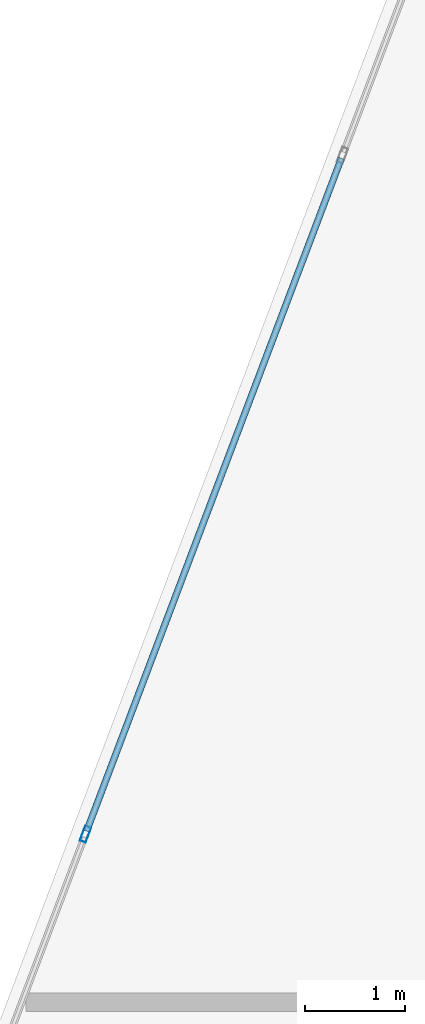
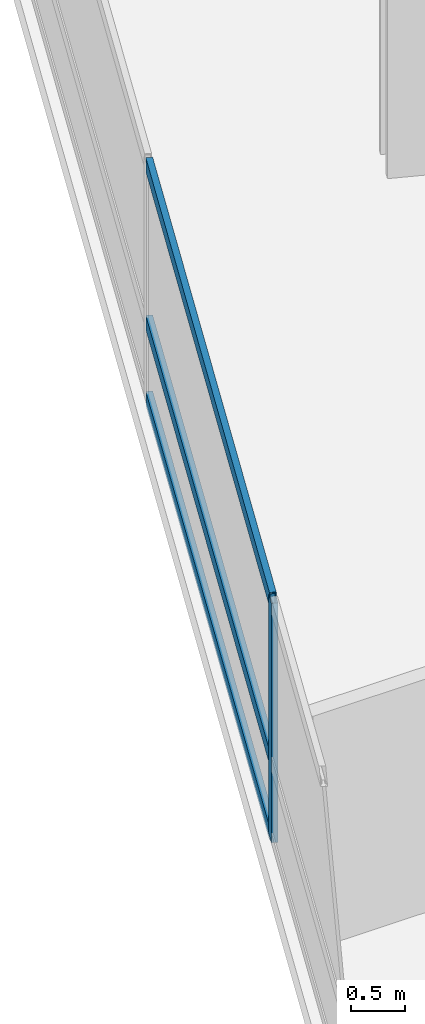
# One storey, part 4 of 25: 4 members, 1 element without a shape of its own.
"""IFC4 building model written with IfcOpenShell, lengths in metres."""

from ifc_helpers import new_model, si_unit, direction, frame, origin, origin_2d, place, context, subcontext, project, spatial, hollow_rectangle, extrude, material, layer, layer_set, material_profile, profile_set, type_object, element, aggregate, save


model = new_model("IFC4")

# Units and contexts
model_context = context("Model", 3, precision=1e-05, world=origin(), true_north=direction((0.0, 1.0)))
body_context = subcontext(model_context, "Body", "Model", "MODEL_VIEW")
ifc_project = project(units=[si_unit("LENGTHUNIT", "METRE"), si_unit("AREAUNIT", "SQUARE_METRE"), si_unit("VOLUMEUNIT", "CUBIC_METRE"), si_unit("PLANEANGLEUNIT", "RADIAN"), si_unit("MASSUNIT", "GRAM", prefix="KILO")], contexts=[model_context])

# Site, building, storey
site_placement = place(None, origin())
site = spatial("IfcSite", under=ifc_project, at=site_placement, CompositionType="ELEMENT")
building_placement = place(site_placement, origin())
building = spatial("IfcBuilding", under=site, at=building_placement, Name="Varnelok Gate Tower", CompositionType="ELEMENT")
storey_placement = place(building_placement, frame((0.0, 0.0, 76.199951171875)))
storey = spatial("IfcBuildingStorey", under=building, at=storey_placement, Name="L18", CompositionType="ELEMENT", Elevation=76.199951171875)

# Curtain wall, members
ifc_material = material(Name="Anodized Aluminum Alloy 6063-T6", Category="aluminium")
ifc_layer = layer(ifc_material, 0.179931640625)
ifc_layer_set = layer_set([ifc_layer], Name="Anodized Aluminum Alloy 6063-T6")
curtain_wall_type = type_object("IfcCurtainWallType", Name="CW3-HOTEL-VISION", PredefinedType="USERDEFINED", material=ifc_layer_set)
curtain_wall_placement = place(storey_placement, origin())
curtain_wall = element("IfcCurtainWall", 1, at=curtain_wall_placement, inside=storey, type_object=curtain_wall_type, Name="L18 West End Vision Curtain Wall", ObjectType="UNITISED CURTAIN WALL", PredefinedType="USERDEFINED")
ifc_material_profile_1 = material_profile(ifc_material, hollow_rectangle(XDim=0.06494140625, YDim=0.159912109375, WallThickness=0.00390625, at=origin_2d()), Name="ALU160X65X4")
ifc_profile_set_1 = profile_set([ifc_material_profile_1], Name="Anodized Aluminum Alloy 6063-T6")
member_type_1 = type_object("IfcMemberType", Name="CW-MULL-160", PredefinedType="MULLION", material=ifc_profile_set_1)
member_1_placement = place(storey_placement, frame((0.508544921875, 28.3359375, 0.0), z_axis=(0.0, 0.0, 1.0), x_axis=(-0.935221323688, 0.354063660545, 0.0)))
member_1 = element("IfcMember", 2, at=member_1_placement, type_object=member_type_1, Name="CW3 mullion 2", PredefinedType="MULLION", context=body_context, shape_type="SweptSolid", body=[
    extrude(hollow_rectangle(XDim=0.06494140625, YDim=0.159912109375, WallThickness=0.00390625, at=origin_2d()), origin(), (0.0, 0.0, 1.0), 2.72998046875),
])
ifc_material_profile_2 = material_profile(ifc_material, hollow_rectangle(XDim=0.06494140625, YDim=0.159912109375, WallThickness=0.00390625, at=origin_2d()), Name="ALU160X65X4")
ifc_profile_set_2 = profile_set([ifc_material_profile_2], Name="Anodized Aluminum Alloy 6063-T6")
member_type_2 = type_object("IfcMemberType", Name="CW-TRAN-160", PredefinedType="USERDEFINED", material=ifc_profile_set_2)
member_2_placement = place(storey_placement, frame((0.52001953125, 28.3662109375, 0.032470703125), z_axis=(0.354078724634, 0.935215620465, 0.0), x_axis=(-0.935215620465, 0.354078724634, 0.0)))
member_2 = element("IfcMember", 3, at=member_2_placement, type_object=member_type_2, Name="CW3 transom 2.1", ObjectType="TRANSOM", PredefinedType="USERDEFINED", context=body_context, shape_type="SweptSolid", body=[
    extrude(hollow_rectangle(XDim=0.06494140625, YDim=0.159912109375, WallThickness=0.00390625, at=origin_2d()), origin(), (0.0, 0.0, 1.0), 7.175048828125),
])
member_3_placement = place(storey_placement, frame((0.52001953125, 28.3662109375, 0.900146484375), z_axis=(0.354078724634, 0.935215620465, 0.0), x_axis=(-0.935215620465, 0.354078724634, 0.0)))
member_3 = element("IfcMember", 4, at=member_3_placement, type_object=member_type_2, Name="CW3 transom 2.2", ObjectType="TRANSOM", PredefinedType="USERDEFINED", context=body_context, shape_type="SweptSolid", body=[
    extrude(hollow_rectangle(XDim=0.06494140625, YDim=0.159912109375, WallThickness=0.00390625, at=origin_2d()), origin(), (0.0, 0.0, 1.0), 7.175048828125),
])
member_4_placement = place(storey_placement, frame((0.52001953125, 28.3662109375, 2.697509765625), z_axis=(0.354078724634, 0.935215620465, 0.0), x_axis=(-0.935215620465, 0.354078724634, 0.0)))
member_4 = element("IfcMember", 5, at=member_4_placement, type_object=member_type_2, Name="CW3 transom 2.3", ObjectType="TRANSOM", PredefinedType="USERDEFINED", context=body_context, shape_type="SweptSolid", body=[
    extrude(hollow_rectangle(XDim=0.06494140625, YDim=0.159912109375, WallThickness=0.00390625, at=origin_2d()), origin(), (0.0, 0.0, 1.0), 7.175048828125),
])
aggregate(curtain_wall, [member_1, member_2, member_3, member_4])

save(model, "model.ifc")
